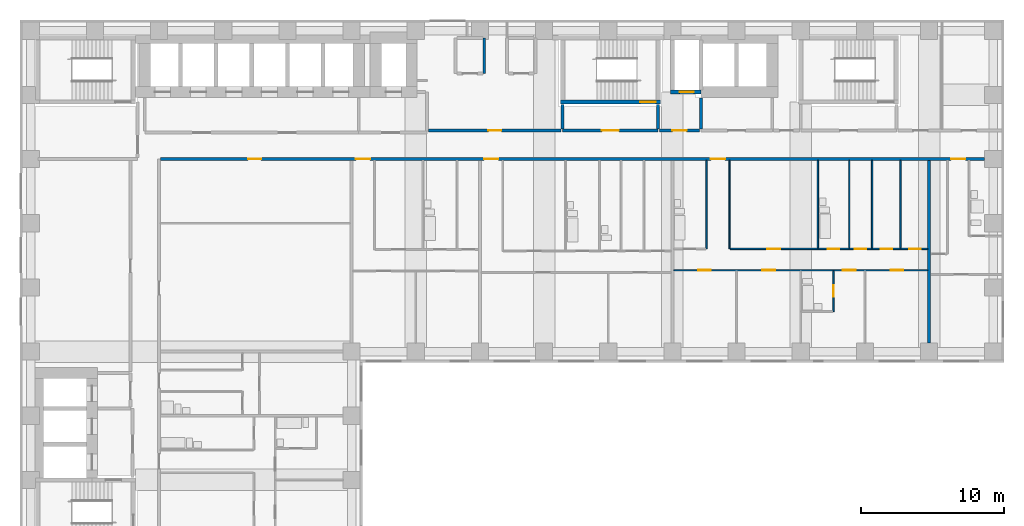
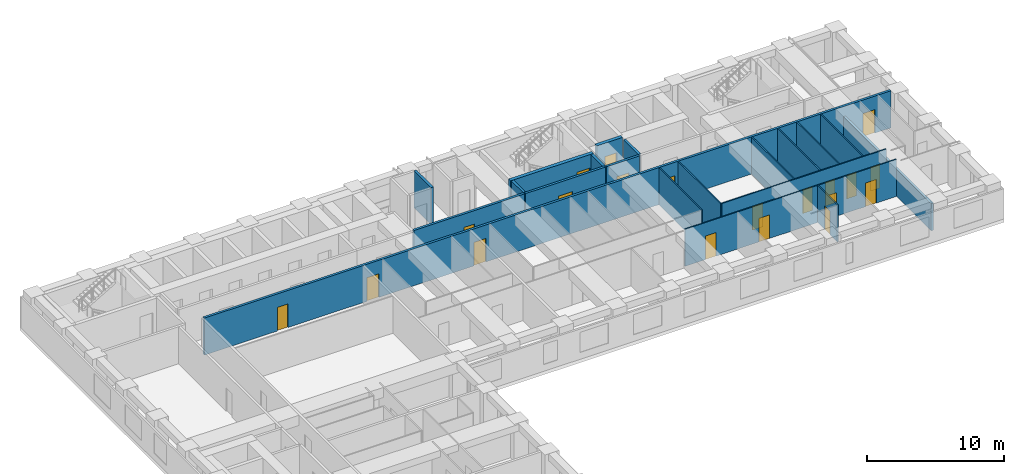
# One storey, part 7 of 11: 20 doors, 20 walls, 20 openings.
"""IFC4 building model written with IfcOpenShell, lengths in metres."""

from ifc_helpers import new_model, si_unit, direction, frame, frame_2d, origin, place, context, subcontext, project, spatial, rectangle, extrude, material, layer, layer_set, type_object, element, fill, save


model = new_model("IFC4")

# Units and contexts
model_context = context("Model", 3, precision=1e-05, world=origin(), true_north=direction((0.0, 1.0)))
body_context = subcontext(model_context, "Body", "Model", "MODEL_VIEW")
ifc_project = project(units=[si_unit("LENGTHUNIT", "METRE"), si_unit("AREAUNIT", "SQUARE_METRE"), si_unit("VOLUMEUNIT", "CUBIC_METRE"), si_unit("PLANEANGLEUNIT", "RADIAN"), si_unit("MASSUNIT", "GRAM", prefix="KILO")], contexts=[model_context])

# Site, building, storey
site_placement = place(None, origin())
site = spatial("IfcSite", under=ifc_project, at=site_placement, CompositionType="ELEMENT")
building_placement = place(site_placement, origin())
building = spatial("IfcBuilding", under=site, at=building_placement, Name="Firuza Court", CompositionType="ELEMENT")
storey_placement = place(building_placement, frame((0.0, 0.0, 83.0)))
storey = spatial("IfcBuildingStorey", under=building, at=storey_placement, Name="L20", CompositionType="ELEMENT", Elevation=83.0)

# Wall, opening, door
ifc_material_1 = material(Name="Moisture-resistant gypsum board partition")
ifc_layer_1 = layer(ifc_material_1, 0.10009765625)
ifc_layer_set_1 = layer_set([ifc_layer_1], Name="Moisture-resistant gypsum board partition")
wall_type_1 = type_object("IfcWallType", Name="Bathroom partition 100", PredefinedType="PLUMBINGWALL", material=ifc_layer_set_1)
wall_1_placement = place(storey_placement, frame((56.300048828125, 38.800048828125, 0.0), z_axis=(0.0, 0.0, 1.0), x_axis=(0.0, 1.0, 0.0)))
wall_1 = element("IfcWall", 1, at=wall_1_placement, inside=storey, type_object=wall_type_1, Name="Bathroom partition 100 L20", PredefinedType="PLUMBINGWALL", context=body_context, shape_type="SweptSolid", body=[
    extrude(rectangle(XDim=2.849853515625, YDim=0.10009765625, at=frame_2d((1.4248046875, 0.0))), origin(), (0.0, 0.0, 1.0), 3.300048828125),
])
opening_1_placement = place(wall_1_placement, frame((1.050048828125, 0.0, 0.0)))
opening_1 = element("IfcOpeningElement", 2, at=opening_1_placement, cuts=wall_1, Name="Opening D20042", PredefinedType="OPENING", context=body_context, shape_type="SweptSolid", body=[
    extrude(rectangle(XDim=0.800048828125, YDim=2.10009765625, at=frame_2d((0.39990234375, 1.050048828125))), frame((0.0, 0.06201171875, 0.0), z_axis=(0.0, -1.0, 0.0), x_axis=(1.0, 0.0, 0.0)), (0.0, 0.0, 1.0), 0.1240234375),
])
ifc_material_2 = material(Name="Timber door leaf in hardwood frame", Category="wood")
door_type_1 = type_object("IfcDoorType", Name="Bathroom door 800", OperationType="SINGLE_SWING_LEFT", PredefinedType="DOOR", material=ifc_material_2)
door_1_placement = place(opening_1_placement, origin())
door_1 = element("IfcDoor", 3, at=door_1_placement, inside=storey, type_object=door_type_1, Name="En-suite door", OperationType="SINGLE_SWING_LEFT", OverallHeight=2.10009765625, OverallWidth=0.800048828125, PredefinedType="DOOR", context=body_context, shape_type="SweptSolid", body=[
    extrude(rectangle(XDim=0.800048828125, YDim=2.10009765625, at=frame_2d((0.39990234375, 1.050048828125))), frame((0.0, 0.02490234375, 0.0), z_axis=(0.0, -1.0, 0.0), x_axis=(1.0, 0.0, 0.0)), (0.0, 0.0, 1.0), 0.050048828125),
])
fill(opening_1, door_1)

# Walls
wall_2_placement = place(storey_placement, frame((47.39990234375, 43.199951171875, 0.0), z_axis=(0.0, 0.0, 1.0), x_axis=(0.0, 1.0, 0.0)))
element("IfcWall", 4, at=wall_2_placement, inside=storey, type_object=wall_type_1, Name="Bathroom partition 100 L20", PredefinedType="PLUMBINGWALL", context=body_context, shape_type="SweptSolid", body=[
    extrude(rectangle(XDim=6.199951171875, YDim=0.10009765625, at=frame_2d((3.10009765625, 0.0))), origin(), (0.0, 0.0, 1.0), 3.300048828125),
])
for number, where, z_axis, x_axis, name in (
    (5, (55.199951171875, 43.25, 0.0), (0.0, 0.0, 1.0), (0.0, 1.0, 0.0), "Bathroom partition 100 L20"),
    (6, (57.39990234375, 43.25, 0.0), (0.0, 0.0, 1.0), (0.0, 1.0, 0.0), "Bathroom partition 100 L20"),
):
    element("IfcWall", number, at=place(storey_placement, frame(where, z_axis=z_axis, x_axis=x_axis)), inside=storey, type_object=wall_type_1, Name=name, PredefinedType="PLUMBINGWALL", context=body_context, shape_type="SweptSolid", body=[
        extrude(rectangle(XDim=6.14990234375, YDim=0.10009765625, at=frame_2d((3.074951171875, 0.0))), origin(), (0.0, 0.0, 1.0), 3.300048828125),
    ])

# Wall, opening, door
ifc_material_3 = material(Name="Concrete C60/75", Category="concrete")
ifc_layer_2 = layer(ifc_material_3, 0.300048828125)
ifc_layer_set_2 = layer_set([ifc_layer_2], Name="Concrete C60/75")
wall_type_2 = type_object("IfcWallType", Name="Core wall 300 C60/75", PredefinedType="SHEAR", material=ifc_layer_set_2)
wall_3_placement = place(storey_placement, frame((37.14990234375, 53.5, -0.300048828125), z_axis=(0.0, 0.0, 1.0), x_axis=(1.0, 0.0, 0.0)))
wall_3 = element("IfcWall", 7, at=wall_3_placement, inside=storey, type_object=wall_type_2, Name="Core wall stair L20", PredefinedType="SHEAR", context=body_context, shape_type="SweptSolid", body=[
    extrude(rectangle(XDim=7.0, YDim=0.300048828125, at=frame_2d((3.5, 0.0))), origin(), (0.0, 0.0, 1.0), 3.60009765625),
])
opening_2_placement = place(wall_3_placement, frame((5.580078125, 0.0, 0.300048828125)))
opening_2 = element("IfcOpeningElement", 8, at=opening_2_placement, cuts=wall_3, Name="Opening D20013", PredefinedType="OPENING", context=body_context, shape_type="SweptSolid", body=[
    extrude(rectangle(XDim=1.10009765625, YDim=2.10009765625, at=frame_2d((0.550048828125, 1.050048828125))), frame((0.0, 0.162109375, 0.0), z_axis=(0.0, -1.0, 0.0), x_axis=(1.0, 0.0, 0.0)), (0.0, 0.0, 1.0), 0.323974609375),
])
ifc_material_4 = material(Name="Timber door leaf in hardwood frame", Category="wood")
door_type_2 = type_object("IfcDoorType", Name="Stair door 1100", OperationType="SINGLE_SWING_LEFT", PredefinedType="DOOR", material=ifc_material_4)
door_2_placement = place(opening_2_placement, origin())
door_2 = element("IfcDoor", 9, at=door_2_placement, inside=storey, type_object=door_type_2, Name="Stair door S1", OperationType="SINGLE_SWING_RIGHT", OverallHeight=2.10009765625, OverallWidth=1.10009765625, PredefinedType="DOOR", context=body_context, shape_type="SweptSolid", body=[
    extrude(rectangle(XDim=1.10009765625, YDim=2.10009765625, at=frame_2d((0.550048828125, 1.050048828125))), frame((0.0, 0.02490234375, 0.0), z_axis=(0.0, -1.0, 0.0), x_axis=(1.0, 0.0, 0.0)), (0.0, 0.0, 1.0), 0.050048828125),
])
fill(opening_2, door_2)

wall_4_placement = place(storey_placement, frame((44.85009765625, 54.199951171875, -0.300048828125), z_axis=(0.0, 0.0, 1.0), x_axis=(1.0, 0.0, 0.0)))
wall_4 = element("IfcWall", 10, at=wall_4_placement, inside=storey, type_object=wall_type_2, Name="Core wall riser L20", PredefinedType="SHEAR", context=body_context, shape_type="SweptSolid", body=[
    extrude(rectangle(XDim=2.14990234375, YDim=0.300048828125, at=frame_2d((1.074951171875, 0.0))), origin(), (0.0, 0.0, 1.0), 3.60009765625),
])
opening_3_placement = place(wall_4_placement, frame((0.64990234375, 0.0, 0.300048828125)))
opening_3 = element("IfcOpeningElement", 11, at=opening_3_placement, cuts=wall_4, Name="Opening D20011", PredefinedType="OPENING", context=body_context, shape_type="SweptSolid", body=[
    extrude(rectangle(XDim=1.0, YDim=2.10009765625, at=frame_2d((0.5, 1.050048828125))), frame((0.0, 0.162109375, 0.0), z_axis=(0.0, -1.0, 0.0), x_axis=(1.0, 0.0, 0.0)), (0.0, 0.0, 1.0), 0.323974609375),
])
ifc_material_5 = material(Name="Timber door leaf in hardwood frame", Category="wood")
door_type_3 = type_object("IfcDoorType", Name="Riser door 1000", OperationType="SINGLE_SWING_LEFT", PredefinedType="DOOR", material=ifc_material_5)
door_3_placement = place(opening_3_placement, origin())
door_3 = element("IfcDoor", 12, at=door_3_placement, inside=storey, type_object=door_type_3, Name="Riser door R3", OperationType="SINGLE_SWING_LEFT", OverallHeight=2.10009765625, OverallWidth=1.0, PredefinedType="DOOR", context=body_context, shape_type="SweptSolid", body=[
    extrude(rectangle(XDim=1.0, YDim=2.10009765625, at=frame_2d((0.5, 1.050048828125))), frame((0.0, 0.02490234375, 0.0), z_axis=(0.0, -1.0, 0.0), x_axis=(1.0, 0.0, 0.0)), (0.0, 0.0, 1.0), 0.050048828125),
])
fill(opening_3, door_3)

# Wall, openings, doors
ifc_material_6 = material(Name="Blockwork, plastered both sides", Category="masonry")
ifc_layer_3 = layer(ifc_material_6, 0.199951171875)
ifc_layer_set_3 = layer_set([ifc_layer_3], Name="Blockwork, plastered both sides")
wall_type_3 = type_object("IfcWallType", Name="Corridor wall 200", PredefinedType="PARTITIONING", material=ifc_layer_set_3)
wall_5_placement = place(storey_placement, frame((9.10009765625, 49.5, 0.0), z_axis=(0.0, 0.0, 1.0), x_axis=(1.0, 0.0, 0.0)))
wall_5 = element("IfcWall", 13, at=wall_5_placement, inside=storey, type_object=wall_type_3, Name="Corridor wall 200 L20", PredefinedType="PARTITIONING", context=body_context, shape_type="SweptSolid", body=[
    extrude(rectangle(XDim=57.7998046875, YDim=0.199951171875, at=frame_2d((28.89990234375, 0.0))), origin(), (0.0, 0.0, 1.0), 3.300048828125),
])
opening_4_placement = place(wall_5_placement, frame((13.699951171875, 0.0, 0.0)))
opening_4 = element("IfcOpeningElement", 14, at=opening_4_placement, cuts=wall_5, Name="Opening D20068", PredefinedType="OPENING", context=body_context, shape_type="SweptSolid", body=[
    extrude(rectangle(XDim=1.0, YDim=2.10009765625, at=frame_2d((0.5, 1.050048828125))), frame((0.0, 0.11181640625, 0.0), z_axis=(0.0, -1.0, 0.0), x_axis=(1.0, 0.0, 0.0)), (0.0, 0.0, 1.0), 0.223876953125),
])
opening_5_placement = place(wall_5_placement, frame((22.699951171875, 0.0, 0.0)))
opening_5 = element("IfcOpeningElement", 15, at=opening_5_placement, cuts=wall_5, Name="Opening D20069", PredefinedType="OPENING", context=body_context, shape_type="SweptSolid", body=[
    extrude(rectangle(XDim=1.0, YDim=2.10009765625, at=frame_2d((0.5, 1.050048828125))), frame((0.0, 0.11181640625, 0.0), z_axis=(0.0, -1.0, 0.0), x_axis=(1.0, 0.0, 0.0)), (0.0, 0.0, 1.0), 0.223876953125),
])
opening_6_placement = place(wall_5_placement, frame((38.60009765625, 0.0, 0.0)))
opening_6 = element("IfcOpeningElement", 16, at=opening_6_placement, cuts=wall_5, Name="Opening D20070", PredefinedType="OPENING", context=body_context, shape_type="SweptSolid", body=[
    extrude(rectangle(XDim=1.0, YDim=2.10009765625, at=frame_2d((0.5, 1.050048828125))), frame((0.0, 0.11181640625, 0.0), z_axis=(0.0, -1.0, 0.0), x_axis=(1.0, 0.0, 0.0)), (0.0, 0.0, 1.0), 0.223876953125),
])
opening_7_placement = place(wall_5_placement, frame((55.449951171875, 0.0, 0.0)))
opening_7 = element("IfcOpeningElement", 17, at=opening_7_placement, cuts=wall_5, Name="Opening D20071", PredefinedType="OPENING", context=body_context, shape_type="SweptSolid", body=[
    extrude(rectangle(XDim=1.0, YDim=2.10009765625, at=frame_2d((0.5, 1.050048828125))), frame((0.0, 0.11181640625, 0.0), z_axis=(0.0, -1.0, 0.0), x_axis=(1.0, 0.0, 0.0)), (0.0, 0.0, 1.0), 0.223876953125),
])
opening_8_placement = place(wall_5_placement, frame((6.14990234375, 0.0, 0.0)))
opening_8 = element("IfcOpeningElement", 18, at=opening_8_placement, cuts=wall_5, Name="Opening D20072", PredefinedType="OPENING", context=body_context, shape_type="SweptSolid", body=[
    extrude(rectangle(XDim=0.89990234375, YDim=2.10009765625, at=frame_2d((0.449951171875, 1.050048828125))), frame((0.0, 0.11181640625, 0.0), z_axis=(0.0, -1.0, 0.0), x_axis=(1.0, 0.0, 0.0)), (0.0, 0.0, 1.0), 0.223876953125),
])
ifc_material_7 = material(Name="Timber door leaf in hardwood frame", Category="wood")
door_type_4 = type_object("IfcDoorType", Name="Flat entrance door 1000", OperationType="SINGLE_SWING_LEFT", PredefinedType="DOOR", material=ifc_material_7)
door_4_placement = place(opening_4_placement, origin())
door_4 = element("IfcDoor", 19, at=door_4_placement, inside=storey, type_object=door_type_4, Name="Flat entrance door", OperationType="SINGLE_SWING_LEFT", OverallHeight=2.10009765625, OverallWidth=1.0, PredefinedType="DOOR", context=body_context, shape_type="SweptSolid", body=[
    extrude(rectangle(XDim=1.0, YDim=2.10009765625, at=frame_2d((0.5, 1.050048828125))), frame((0.0, 0.02490234375, 0.0), z_axis=(0.0, -1.0, 0.0), x_axis=(1.0, 0.0, 0.0)), (0.0, 0.0, 1.0), 0.050048828125),
])
fill(opening_4, door_4)
door_5_placement = place(opening_5_placement, origin())
door_5 = element("IfcDoor", 20, at=door_5_placement, inside=storey, type_object=door_type_4, Name="Flat entrance door", OperationType="SINGLE_SWING_LEFT", OverallHeight=2.10009765625, OverallWidth=1.0, PredefinedType="DOOR", context=body_context, shape_type="SweptSolid", body=[
    extrude(rectangle(XDim=1.0, YDim=2.10009765625, at=frame_2d((0.5, 1.050048828125))), frame((0.0, 0.02490234375, 0.0), z_axis=(0.0, -1.0, 0.0), x_axis=(1.0, 0.0, 0.0)), (0.0, 0.0, 1.0), 0.050048828125),
])
fill(opening_5, door_5)
door_6_placement = place(opening_6_placement, origin())
door_6 = element("IfcDoor", 21, at=door_6_placement, inside=storey, type_object=door_type_4, Name="Flat entrance door", OperationType="SINGLE_SWING_LEFT", OverallHeight=2.10009765625, OverallWidth=1.0, PredefinedType="DOOR", context=body_context, shape_type="SweptSolid", body=[
    extrude(rectangle(XDim=1.0, YDim=2.10009765625, at=frame_2d((0.5, 1.050048828125))), frame((0.0, 0.02490234375, 0.0), z_axis=(0.0, -1.0, 0.0), x_axis=(1.0, 0.0, 0.0)), (0.0, 0.0, 1.0), 0.050048828125),
])
fill(opening_6, door_6)
door_7_placement = place(opening_7_placement, origin())
door_7 = element("IfcDoor", 22, at=door_7_placement, inside=storey, type_object=door_type_4, Name="Flat entrance door", OperationType="SINGLE_SWING_RIGHT", OverallHeight=2.10009765625, OverallWidth=1.0, PredefinedType="DOOR", context=body_context, shape_type="SweptSolid", body=[
    extrude(rectangle(XDim=1.0, YDim=2.10009765625, at=frame_2d((0.5, 1.050048828125))), frame((0.0, 0.02490234375, 0.0), z_axis=(0.0, -1.0, 0.0), x_axis=(1.0, 0.0, 0.0)), (0.0, 0.0, 1.0), 0.050048828125),
])
fill(opening_7, door_7)
ifc_material_8 = material(Name="Timber door leaf in hardwood frame", Category="wood")
door_type_5 = type_object("IfcDoorType", Name="Room door 900 EI 30", OperationType="SINGLE_SWING_LEFT", PredefinedType="DOOR", material=ifc_material_8)
door_8_placement = place(opening_8_placement, frame((0.89990234375, 0.0, 0.0), z_axis=(0.0, 0.0, 1.0), x_axis=(-1.0, 0.0, 0.0)))
door_8 = element("IfcDoor", 23, at=door_8_placement, inside=storey, type_object=door_type_5, Name="Library door", OperationType="SINGLE_SWING_RIGHT", OverallHeight=2.10009765625, OverallWidth=0.89990234375, PredefinedType="DOOR", context=body_context, shape_type="SweptSolid", body=[
    extrude(rectangle(XDim=0.89990234375, YDim=2.10009765625, at=frame_2d((0.449951171875, 1.050048828125))), frame((0.0, 0.02490234375, 0.0), z_axis=(0.0, -1.0, 0.0), x_axis=(1.0, 0.0, 0.0)), (0.0, 0.0, 1.0), 0.050048828125),
])
fill(opening_8, door_8)

# Wall, opening, door
wall_6_placement = place(storey_placement, frame((27.89990234375, 51.5, 0.0), z_axis=(0.0, 0.0, 1.0), x_axis=(1.0, 0.0, 0.0)))
wall_6 = element("IfcWall", 24, at=wall_6_placement, inside=storey, type_object=wall_type_3, Name="Corridor wall 200 L20", PredefinedType="PARTITIONING", context=body_context, shape_type="SweptSolid", body=[
    extrude(rectangle(XDim=9.300048828125, YDim=0.199951171875, at=frame_2d((4.64990234375, 0.0))), origin(), (0.0, 0.0, 1.0), 3.300048828125),
])
opening_9_placement = place(wall_6_placement, frame((4.199951171875, 0.0, 0.0)))
opening_9 = element("IfcOpeningElement", 25, at=opening_9_placement, cuts=wall_6, Name="Opening D20073", PredefinedType="OPENING", context=body_context, shape_type="SweptSolid", body=[
    extrude(rectangle(XDim=0.89990234375, YDim=2.10009765625, at=frame_2d((0.449951171875, 1.050048828125))), frame((0.0, 0.11181640625, 0.0), z_axis=(0.0, -1.0, 0.0), x_axis=(1.0, 0.0, 0.0)), (0.0, 0.0, 1.0), 0.223876953125),
])
door_9_placement = place(opening_9_placement, origin())
door_9 = element("IfcDoor", 26, at=door_9_placement, inside=storey, type_object=door_type_5, Name="Meeting room door", OperationType="SINGLE_SWING_LEFT", OverallHeight=2.10009765625, OverallWidth=0.89990234375, PredefinedType="DOOR", context=body_context, shape_type="SweptSolid", body=[
    extrude(rectangle(XDim=0.89990234375, YDim=2.10009765625, at=frame_2d((0.449951171875, 1.050048828125))), frame((0.0, 0.02490234375, 0.0), z_axis=(0.0, -1.0, 0.0), x_axis=(1.0, 0.0, 0.0)), (0.0, 0.0, 1.0), 0.050048828125),
])
fill(opening_9, door_9)

wall_7_placement = place(storey_placement, frame((44.10009765625, 51.5, 0.0), z_axis=(0.0, 0.0, 1.0), x_axis=(1.0, 0.0, 0.0)))
wall_7 = element("IfcWall", 27, at=wall_7_placement, inside=storey, type_object=wall_type_3, Name="Corridor wall 200 L20", PredefinedType="PARTITIONING", context=body_context, shape_type="SweptSolid", body=[
    extrude(rectangle(XDim=2.7998046875, YDim=0.199951171875, at=frame_2d((1.39990234375, 0.0))), origin(), (0.0, 0.0, 1.0), 3.300048828125),
])
opening_10_placement = place(wall_7_placement, frame((0.89990234375, 0.0, 0.0)))
opening_10 = element("IfcOpeningElement", 28, at=opening_10_placement, cuts=wall_7, Name="Opening D20074", PredefinedType="OPENING", context=body_context, shape_type="SweptSolid", body=[
    extrude(rectangle(XDim=1.0, YDim=2.10009765625, at=frame_2d((0.5, 1.050048828125))), frame((0.0, 0.11181640625, 0.0), z_axis=(0.0, -1.0, 0.0), x_axis=(1.0, 0.0, 0.0)), (0.0, 0.0, 1.0), 0.223876953125),
])
ifc_material_9 = material(Name="Timber door leaf in hardwood frame", Category="wood")
door_type_6 = type_object("IfcDoorType", Name="Store door 1000", OperationType="SINGLE_SWING_LEFT", PredefinedType="DOOR", material=ifc_material_9)
door_10_placement = place(opening_10_placement, origin())
door_10 = element("IfcDoor", 29, at=door_10_placement, inside=storey, type_object=door_type_6, Name="Valet store door", OperationType="SINGLE_SWING_LEFT", OverallHeight=2.10009765625, OverallWidth=1.0, PredefinedType="DOOR", context=body_context, shape_type="SweptSolid", body=[
    extrude(rectangle(XDim=1.0, YDim=2.10009765625, at=frame_2d((0.5, 1.050048828125))), frame((0.0, 0.02490234375, 0.0), z_axis=(0.0, -1.0, 0.0), x_axis=(1.0, 0.0, 0.0)), (0.0, 0.0, 1.0), 0.050048828125),
])
fill(opening_10, door_10)

# Wall, openings, doors
ifc_material_10 = material(Name="Timber stud partition, plasterboard both sides", Category="wood")
ifc_layer_4 = layer(ifc_material_10, 0.10009765625)
ifc_layer_set_4 = layer_set([ifc_layer_4], Name="Timber stud partition, plasterboard both sides")
wall_type_4 = type_object("IfcWallType", Name="Partition wall 100", PredefinedType="PARTITIONING", material=ifc_layer_set_4)
wall_8_placement = place(storey_placement, frame((45.10009765625, 41.699951171875, 0.0), z_axis=(0.0, 0.0, 1.0), x_axis=(1.0, 0.0, 0.0)))
wall_8 = element("IfcWall", 30, at=wall_8_placement, inside=storey, type_object=wall_type_4, Name="Partition wall 100 L20", PredefinedType="PARTITIONING", context=body_context, shape_type="SweptSolid", body=[
    extrude(rectangle(XDim=17.7998046875, YDim=0.10009765625, at=frame_2d((8.89990234375, 0.0))), origin(), (0.0, 0.0, 1.0), 3.300048828125),
])
opening_11_placement = place(wall_8_placement, frame((1.699951171875, 0.0, 0.0)))
opening_11 = element("IfcOpeningElement", 31, at=opening_11_placement, cuts=wall_8, Name="Opening D20048", PredefinedType="OPENING", context=body_context, shape_type="SweptSolid", body=[
    extrude(rectangle(XDim=0.89990234375, YDim=2.10009765625, at=frame_2d((0.449951171875, 1.050048828125))), frame((0.0, 0.06201171875, 0.0), z_axis=(0.0, -1.0, 0.0), x_axis=(1.0, 0.0, 0.0)), (0.0, 0.0, 1.0), 0.1240234375),
])
opening_12_placement = place(wall_8_placement, frame((6.199951171875, 0.0, 0.0)))
opening_12 = element("IfcOpeningElement", 32, at=opening_12_placement, cuts=wall_8, Name="Opening D20049", PredefinedType="OPENING", context=body_context, shape_type="SweptSolid", body=[
    extrude(rectangle(XDim=0.89990234375, YDim=2.10009765625, at=frame_2d((0.449951171875, 1.050048828125))), frame((0.0, 0.06201171875, 0.0), z_axis=(0.0, -1.0, 0.0), x_axis=(1.0, 0.0, 0.0)), (0.0, 0.0, 1.0), 0.1240234375),
])
opening_13_placement = place(wall_8_placement, frame((11.85009765625, 0.0, 0.0)))
opening_13 = element("IfcOpeningElement", 33, at=opening_13_placement, cuts=wall_8, Name="Opening D20050", PredefinedType="OPENING", context=body_context, shape_type="SweptSolid", body=[
    extrude(rectangle(XDim=0.89990234375, YDim=2.10009765625, at=frame_2d((0.449951171875, 1.050048828125))), frame((0.0, 0.06201171875, 0.0), z_axis=(0.0, -1.0, 0.0), x_axis=(1.0, 0.0, 0.0)), (0.0, 0.0, 1.0), 0.1240234375),
])
opening_14_placement = place(wall_8_placement, frame((15.199951171875, 0.0, 0.0)))
opening_14 = element("IfcOpeningElement", 34, at=opening_14_placement, cuts=wall_8, Name="Opening D20051", PredefinedType="OPENING", context=body_context, shape_type="SweptSolid", body=[
    extrude(rectangle(XDim=0.89990234375, YDim=2.10009765625, at=frame_2d((0.449951171875, 1.050048828125))), frame((0.0, 0.06201171875, 0.0), z_axis=(0.0, -1.0, 0.0), x_axis=(1.0, 0.0, 0.0)), (0.0, 0.0, 1.0), 0.1240234375),
])
ifc_material_11 = material(Name="Timber door leaf in hardwood frame", Category="wood")
door_type_7 = type_object("IfcDoorType", Name="Room door 900", OperationType="SINGLE_SWING_LEFT", PredefinedType="DOOR", material=ifc_material_11)
door_11_placement = place(opening_11_placement, frame((0.89990234375, 0.0, 0.0), z_axis=(0.0, 0.0, 1.0), x_axis=(-1.0, 0.0, 0.0)))
door_11 = element("IfcDoor", 35, at=door_11_placement, inside=storey, type_object=door_type_7, Name="Bedroom door", OperationType="SINGLE_SWING_RIGHT", OverallHeight=2.10009765625, OverallWidth=0.89990234375, PredefinedType="DOOR", context=body_context, shape_type="SweptSolid", body=[
    extrude(rectangle(XDim=0.89990234375, YDim=2.10009765625, at=frame_2d((0.449951171875, 1.050048828125))), frame((0.0, 0.02490234375, 0.0), z_axis=(0.0, -1.0, 0.0), x_axis=(1.0, 0.0, 0.0)), (0.0, 0.0, 1.0), 0.050048828125),
])
fill(opening_11, door_11)
door_12_placement = place(opening_12_placement, frame((0.89990234375, 0.0, 0.0), z_axis=(0.0, 0.0, 1.0), x_axis=(-1.0, 0.0, 0.0)))
door_12 = element("IfcDoor", 36, at=door_12_placement, inside=storey, type_object=door_type_7, Name="Living room door", OperationType="SINGLE_SWING_RIGHT", OverallHeight=2.10009765625, OverallWidth=0.89990234375, PredefinedType="DOOR", context=body_context, shape_type="SweptSolid", body=[
    extrude(rectangle(XDim=0.89990234375, YDim=2.10009765625, at=frame_2d((0.449951171875, 1.050048828125))), frame((0.0, 0.02490234375, 0.0), z_axis=(0.0, -1.0, 0.0), x_axis=(1.0, 0.0, 0.0)), (0.0, 0.0, 1.0), 0.050048828125),
])
fill(opening_12, door_12)
door_13_placement = place(opening_13_placement, frame((0.89990234375, 0.0, 0.0), z_axis=(0.0, 0.0, 1.0), x_axis=(-1.0, 0.0, 0.0)))
door_13 = element("IfcDoor", 37, at=door_13_placement, inside=storey, type_object=door_type_7, Name="Bedroom door", OperationType="SINGLE_SWING_RIGHT", OverallHeight=2.10009765625, OverallWidth=0.89990234375, PredefinedType="DOOR", context=body_context, shape_type="SweptSolid", body=[
    extrude(rectangle(XDim=0.89990234375, YDim=2.10009765625, at=frame_2d((0.449951171875, 1.050048828125))), frame((0.0, 0.02490234375, 0.0), z_axis=(0.0, -1.0, 0.0), x_axis=(1.0, 0.0, 0.0)), (0.0, 0.0, 1.0), 0.050048828125),
])
fill(opening_13, door_13)
door_14_placement = place(opening_14_placement, frame((0.89990234375, 0.0, 0.0), z_axis=(0.0, 0.0, 1.0), x_axis=(-1.0, 0.0, 0.0)))
door_14 = element("IfcDoor", 38, at=door_14_placement, inside=storey, type_object=door_type_7, Name="Bedroom door", OperationType="SINGLE_SWING_RIGHT", OverallHeight=2.10009765625, OverallWidth=0.89990234375, PredefinedType="DOOR", context=body_context, shape_type="SweptSolid", body=[
    extrude(rectangle(XDim=0.89990234375, YDim=2.10009765625, at=frame_2d((0.449951171875, 1.050048828125))), frame((0.0, 0.02490234375, 0.0), z_axis=(0.0, -1.0, 0.0), x_axis=(1.0, 0.0, 0.0)), (0.0, 0.0, 1.0), 0.050048828125),
])
fill(opening_14, door_14)

# Wall
wall_9_placement = place(storey_placement, frame((49.0, 43.199951171875, 0.0), z_axis=(0.0, 0.0, 1.0), x_axis=(0.0, 1.0, 0.0)))
element("IfcWall", 39, at=wall_9_placement, inside=storey, type_object=wall_type_4, Name="Partition wall 100 L20", PredefinedType="PARTITIONING", context=body_context, shape_type="SweptSolid", body=[
    extrude(rectangle(XDim=6.199951171875, YDim=0.10009765625, at=frame_2d((3.10009765625, 0.0))), origin(), (0.0, 0.0, 1.0), 3.300048828125),
])

# Wall, openings, doors
wall_10_placement = place(storey_placement, frame((49.050048828125, 43.199951171875, 0.0), z_axis=(0.0, 0.0, 1.0), x_axis=(1.0, 0.0, 0.0)))
wall_10 = element("IfcWall", 40, at=wall_10_placement, inside=storey, type_object=wall_type_4, Name="Partition wall 100 L20", PredefinedType="PARTITIONING", context=body_context, shape_type="SweptSolid", body=[
    extrude(rectangle(XDim=13.849853515625, YDim=0.10009765625, at=frame_2d((6.9248046875, 0.0))), origin(), (0.0, 0.0, 1.0), 3.300048828125),
])
opening_15_placement = place(wall_10_placement, frame((6.85009765625, 0.0, 0.0)))
opening_15 = element("IfcOpeningElement", 41, at=opening_15_placement, cuts=wall_10, Name="Opening D20062", PredefinedType="OPENING", context=body_context, shape_type="SweptSolid", body=[
    extrude(rectangle(XDim=0.800048828125, YDim=2.10009765625, at=frame_2d((0.39990234375, 1.050048828125))), frame((0.0, 0.06201171875, 0.0), z_axis=(0.0, -1.0, 0.0), x_axis=(1.0, 0.0, 0.0)), (0.0, 0.0, 1.0), 0.1240234375),
])
opening_16_placement = place(wall_10_placement, frame((2.60009765625, 0.0, 0.0)))
opening_16 = element("IfcOpeningElement", 42, at=opening_16_placement, cuts=wall_10, Name="Opening D20063", PredefinedType="OPENING", context=body_context, shape_type="SweptSolid", body=[
    extrude(rectangle(XDim=0.89990234375, YDim=2.10009765625, at=frame_2d((0.449951171875, 1.050048828125))), frame((0.0, 0.06201171875, 0.0), z_axis=(0.0, -1.0, 0.0), x_axis=(1.0, 0.0, 0.0)), (0.0, 0.0, 1.0), 0.1240234375),
])
opening_17_placement = place(wall_10_placement, frame((12.550048828125, 0.0, 0.0)))
opening_17 = element("IfcOpeningElement", 43, at=opening_17_placement, cuts=wall_10, Name="Opening D20064", PredefinedType="OPENING", context=body_context, shape_type="SweptSolid", body=[
    extrude(rectangle(XDim=0.800048828125, YDim=2.10009765625, at=frame_2d((0.39990234375, 1.050048828125))), frame((0.0, 0.06201171875, 0.0), z_axis=(0.0, -1.0, 0.0), x_axis=(1.0, 0.0, 0.0)), (0.0, 0.0, 1.0), 0.1240234375),
])
opening_18_placement = place(wall_10_placement, frame((8.75, 0.0, 0.0)))
opening_18 = element("IfcOpeningElement", 44, at=opening_18_placement, cuts=wall_10, Name="Opening D20065", PredefinedType="OPENING", context=body_context, shape_type="SweptSolid", body=[
    extrude(rectangle(XDim=0.800048828125, YDim=2.10009765625, at=frame_2d((0.39990234375, 1.050048828125))), frame((0.0, 0.06201171875, 0.0), z_axis=(0.0, -1.0, 0.0), x_axis=(1.0, 0.0, 0.0)), (0.0, 0.0, 1.0), 0.1240234375),
])
opening_19_placement = place(wall_10_placement, frame((10.550048828125, 0.0, 0.0)))
opening_19 = element("IfcOpeningElement", 45, at=opening_19_placement, cuts=wall_10, Name="Opening D20066", PredefinedType="OPENING", context=body_context, shape_type="SweptSolid", body=[
    extrude(rectangle(XDim=0.800048828125, YDim=2.10009765625, at=frame_2d((0.39990234375, 1.050048828125))), frame((0.0, 0.06201171875, 0.0), z_axis=(0.0, -1.0, 0.0), x_axis=(1.0, 0.0, 0.0)), (0.0, 0.0, 1.0), 0.1240234375),
])
door_15_placement = place(opening_15_placement, origin())
door_15 = element("IfcDoor", 46, at=door_15_placement, inside=storey, type_object=door_type_1, Name="Bathroom 2 door", OperationType="SINGLE_SWING_LEFT", OverallHeight=2.10009765625, OverallWidth=0.800048828125, PredefinedType="DOOR", context=body_context, shape_type="SweptSolid", body=[
    extrude(rectangle(XDim=0.800048828125, YDim=2.10009765625, at=frame_2d((0.39990234375, 1.050048828125))), frame((0.0, 0.02490234375, 0.0), z_axis=(0.0, -1.0, 0.0), x_axis=(1.0, 0.0, 0.0)), (0.0, 0.0, 1.0), 0.050048828125),
])
fill(opening_15, door_15)
ifc_material_12 = material(Name="Timber door leaf in hardwood frame", Category="wood")
door_type_8 = type_object("IfcDoorType", Name="Room door 800", OperationType="SINGLE_SWING_LEFT", PredefinedType="DOOR", material=ifc_material_12)
door_16_placement = place(opening_17_placement, origin())
door_16 = element("IfcDoor", 47, at=door_16_placement, inside=storey, type_object=door_type_8, Name="Pantry door", OperationType="SINGLE_SWING_LEFT", OverallHeight=2.10009765625, OverallWidth=0.800048828125, PredefinedType="DOOR", context=body_context, shape_type="SweptSolid", body=[
    extrude(rectangle(XDim=0.800048828125, YDim=2.10009765625, at=frame_2d((0.39990234375, 1.050048828125))), frame((0.0, 0.02490234375, 0.0), z_axis=(0.0, -1.0, 0.0), x_axis=(1.0, 0.0, 0.0)), (0.0, 0.0, 1.0), 0.050048828125),
])
fill(opening_17, door_16)
door_17_placement = place(opening_18_placement, origin())
door_17 = element("IfcDoor", 48, at=door_17_placement, inside=storey, type_object=door_type_8, Name="Store door", OperationType="SINGLE_SWING_LEFT", OverallHeight=2.10009765625, OverallWidth=0.800048828125, PredefinedType="DOOR", context=body_context, shape_type="SweptSolid", body=[
    extrude(rectangle(XDim=0.800048828125, YDim=2.10009765625, at=frame_2d((0.39990234375, 1.050048828125))), frame((0.0, 0.02490234375, 0.0), z_axis=(0.0, -1.0, 0.0), x_axis=(1.0, 0.0, 0.0)), (0.0, 0.0, 1.0), 0.050048828125),
])
fill(opening_18, door_17)
door_18_placement = place(opening_19_placement, origin())
door_18 = element("IfcDoor", 49, at=door_18_placement, inside=storey, type_object=door_type_8, Name="Utility room door", OperationType="SINGLE_SWING_LEFT", OverallHeight=2.10009765625, OverallWidth=0.800048828125, PredefinedType="DOOR", context=body_context, shape_type="SweptSolid", body=[
    extrude(rectangle(XDim=0.800048828125, YDim=2.10009765625, at=frame_2d((0.39990234375, 1.050048828125))), frame((0.0, 0.02490234375, 0.0), z_axis=(0.0, -1.0, 0.0), x_axis=(1.0, 0.0, 0.0)), (0.0, 0.0, 1.0), 0.050048828125),
])
fill(opening_19, door_18)
door_19_placement = place(opening_16_placement, origin())
door_19 = element("IfcDoor", 50, at=door_19_placement, inside=storey, type_object=door_type_7, Name="Kitchen door", OperationType="SINGLE_SWING_LEFT", OverallHeight=2.10009765625, OverallWidth=0.89990234375, PredefinedType="DOOR", context=body_context, shape_type="SweptSolid", body=[
    extrude(rectangle(XDim=0.89990234375, YDim=2.10009765625, at=frame_2d((0.449951171875, 1.050048828125))), frame((0.0, 0.02490234375, 0.0), z_axis=(0.0, -1.0, 0.0), x_axis=(1.0, 0.0, 0.0)), (0.0, 0.0, 1.0), 0.050048828125),
])
fill(opening_16, door_19)

# Walls
for number, where, z_axis, x_axis, name in (
    (51, (59.0, 43.25, 0.0), (0.0, 0.0, 1.0), (0.0, 1.0, 0.0), "Partition wall 100 L20"),
    (52, (61.0, 43.25, 0.0), (0.0, 0.0, 1.0), (0.0, 1.0, 0.0), "Partition wall 100 L20"),
):
    element("IfcWall", number, at=place(storey_placement, frame(where, z_axis=z_axis, x_axis=x_axis)), inside=storey, type_object=wall_type_4, Name=name, PredefinedType="PARTITIONING", context=body_context, shape_type="SweptSolid", body=[
        extrude(rectangle(XDim=6.14990234375, YDim=0.10009765625, at=frame_2d((3.074951171875, 0.0))), origin(), (0.0, 0.0, 1.0), 3.300048828125),
    ])
ifc_layer_5 = layer(ifc_material_6, 0.199951171875)
ifc_layer_set_5 = layer_set([ifc_layer_5], Name="Blockwork, plastered both sides")
wall_type_5 = type_object("IfcWallType", Name="Party wall 200", PredefinedType="PARTITIONING", material=ifc_layer_set_5)
wall_11_placement = place(storey_placement, frame((63.0, 36.60009765625, 0.0), z_axis=(0.0, 0.0, 1.0), x_axis=(0.0, 1.0, 0.0)))
element("IfcWall", 53, at=wall_11_placement, inside=storey, type_object=wall_type_5, Name="Party wall 200 L20", PredefinedType="PARTITIONING", context=body_context, shape_type="SweptSolid", body=[
    extrude(rectangle(XDim=12.7998046875, YDim=0.199951171875, at=frame_2d((6.39990234375, 0.0))), origin(), (0.0, 0.0, 1.0), 2.39990234375),
])
ifc_material_13 = material(Name="Blockwork, fire-rated", Category="masonry")
ifc_layer_6 = layer(ifc_material_13, 0.199951171875)
ifc_layer_set_6 = layer_set([ifc_layer_6], Name="Blockwork, fire-rated")
wall_type_6 = type_object("IfcWallType", Name="Plant room wall 200", PredefinedType="PARTITIONING", material=ifc_layer_set_6)
wall_12_placement = place(storey_placement, frame((31.800048828125, 55.5, 0.0), z_axis=(0.0, 0.0, 1.0), x_axis=(0.0, 1.0, 0.0)))
element("IfcWall", 54, at=wall_12_placement, inside=storey, type_object=wall_type_6, Name="Plant room wall 200 L20", PredefinedType="PARTITIONING", context=body_context, shape_type="SweptSolid", body=[
    extrude(rectangle(XDim=2.5, YDim=0.199951171875, at=frame_2d((1.25, 0.0))), origin(), (0.0, 0.0, 1.0), 3.300048828125),
])
ifc_layer_7 = layer(ifc_material_13, 0.199951171875)
ifc_layer_set_7 = layer_set([ifc_layer_7], Name="Blockwork, fire-rated")
wall_type_7 = type_object("IfcWallType", Name="Shaft wall 200", PredefinedType="PARTITIONING", material=ifc_layer_set_7)
wall_13_placement = place(storey_placement, frame((47.0, 51.60009765625, 0.0), z_axis=(0.0, 0.0, 1.0), x_axis=(0.0, 1.0, 0.0)))
element("IfcWall", 55, at=wall_13_placement, inside=storey, type_object=wall_type_7, Name="Shaft wall 200 L20", PredefinedType="PARTITIONING", context=body_context, shape_type="SweptSolid", body=[
    extrude(rectangle(XDim=2.179931640625, YDim=0.199951171875, at=frame_2d((1.08984375, 0.0))), origin(), (0.0, 0.0, 1.0), 3.300048828125),
])

# Wall, opening, door
wall_14_placement = place(storey_placement, frame((37.300048828125, 51.5, 0.0), z_axis=(0.0, 0.0, 1.0), x_axis=(1.0, 0.0, 0.0)))
wall_14 = element("IfcWall", 56, at=wall_14_placement, inside=storey, type_object=wall_type_7, Name="Shaft wall 200 L20", PredefinedType="PARTITIONING", context=body_context, shape_type="SweptSolid", body=[
    extrude(rectangle(XDim=6.699951171875, YDim=0.199951171875, at=frame_2d((3.35009765625, 0.0))), origin(), (0.0, 0.0, 1.0), 3.300048828125),
])
opening_20_placement = place(wall_14_placement, frame((2.75, 0.0, 0.0)))
opening_20 = element("IfcOpeningElement", 57, at=opening_20_placement, cuts=wall_14, Name="Opening D20006", PredefinedType="OPENING", context=body_context, shape_type="SweptSolid", body=[
    extrude(rectangle(XDim=1.199951171875, YDim=2.10009765625, at=frame_2d((0.60009765625, 1.050048828125))), frame((0.0, 0.11181640625, 0.0), z_axis=(0.0, -1.0, 0.0), x_axis=(1.0, 0.0, 0.0)), (0.0, 0.0, 1.0), 0.223876953125),
])
ifc_material_14 = material(Name="Timber door leaf in hardwood frame", Category="wood")
door_type_9 = type_object("IfcDoorType", Name="Lobby door 1200", OperationType="SINGLE_SWING_LEFT", PredefinedType="DOOR", material=ifc_material_14)
door_20_placement = place(opening_20_placement, origin())
door_20 = element("IfcDoor", 58, at=door_20_placement, inside=storey, type_object=door_type_9, Name="Lobby door", OperationType="SINGLE_SWING_LEFT", OverallHeight=2.10009765625, OverallWidth=1.199951171875, PredefinedType="DOOR", context=body_context, shape_type="SweptSolid", body=[
    extrude(rectangle(XDim=1.199951171875, YDim=2.10009765625, at=frame_2d((0.60009765625, 1.050048828125))), frame((0.0, 0.02490234375, 0.0), z_axis=(0.0, -1.0, 0.0), x_axis=(1.0, 0.0, 0.0)), (0.0, 0.0, 1.0), 0.050048828125),
])
fill(opening_20, door_20)

# Walls
for number, where, z_axis, x_axis, name in (
    (59, (44.0, 51.60009765625, 0.0), (0.0, 0.0, 1.0), (0.0, 1.0, 0.0), "Shaft wall 200 L20"),
    (60, (37.300048828125, 51.60009765625, 0.0), (0.0, 0.0, 1.0), (0.0, 1.0, 0.0), "Shaft wall 200 L20"),
):
    element("IfcWall", number, at=place(storey_placement, frame(where, z_axis=z_axis, x_axis=x_axis)), inside=storey, type_object=wall_type_7, Name=name, PredefinedType="PARTITIONING", context=body_context, shape_type="SweptSolid", body=[
        extrude(rectangle(XDim=1.72998046875, YDim=0.199951171875, at=frame_2d((0.864990234375, 0.0))), origin(), (0.0, 0.0, 1.0), 3.300048828125),
    ])

save(model, "model.ifc")
